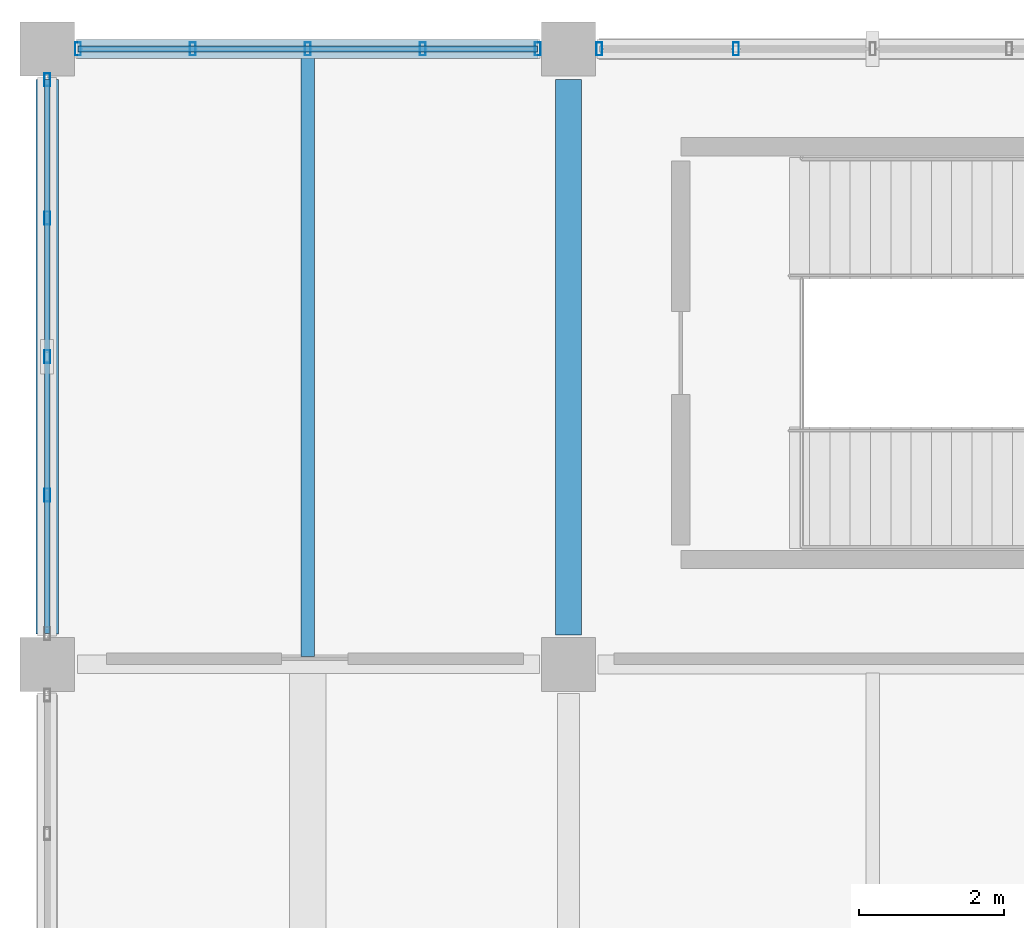
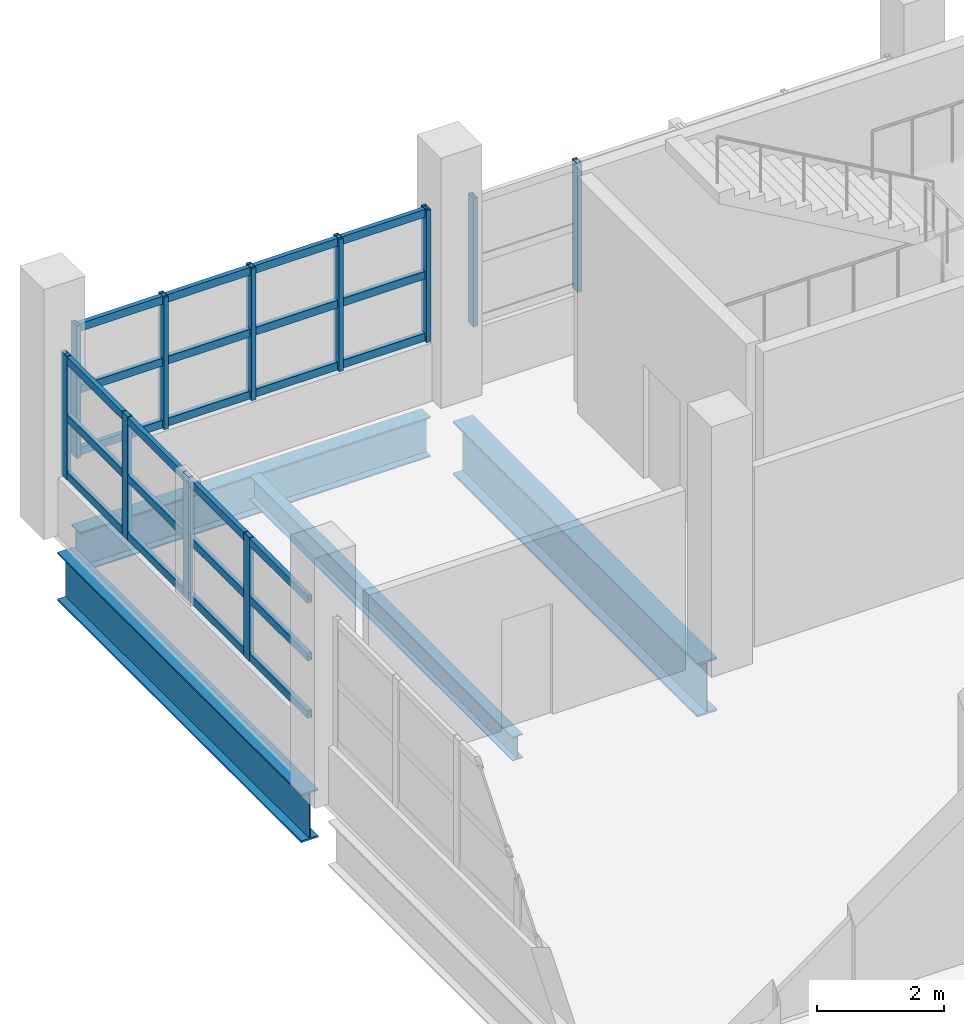
# One storey, part 74 of 117: 17 members, 4 beams, 3 elements without a shape of their own.
"""IFC4 building model written with IfcOpenShell, lengths in metres."""

from ifc_helpers import new_model, si_unit, direction, frame, origin, origin_2d, place, context, subcontext, project, spatial, hollow_rectangle, i_section, extrude, material, material_profile, profile_set, type_object, element, aggregate, save


model = new_model("IFC4")

# Units and contexts
model_context = context("Model", 3, precision=1e-05, world=origin(), true_north=direction((0.0, 1.0)))
body_context = subcontext(model_context, "Body", "Model", "MODEL_VIEW")
ifc_project = project(units=[si_unit("LENGTHUNIT", "METRE"), si_unit("AREAUNIT", "SQUARE_METRE"), si_unit("VOLUMEUNIT", "CUBIC_METRE"), si_unit("PLANEANGLEUNIT", "RADIAN"), si_unit("MASSUNIT", "GRAM", prefix="KILO")], contexts=[model_context])

# Site, building, storey
site_placement = place(None, origin())
site = spatial("IfcSite", under=ifc_project, at=site_placement, CompositionType="ELEMENT")
building_placement = place(site_placement, origin())
building = spatial("IfcBuilding", under=site, at=building_placement, Name="Solvento Point Concert Hall", CompositionType="ELEMENT")
storey_placement = place(building_placement, frame((0.0, 0.0, 5.39990234375)))
storey = spatial("IfcBuildingStorey", under=building, at=storey_placement, Name="L01", CompositionType="ELEMENT", Elevation=5.39990234375)

# Beams
ifc_material_1 = material(Name="Structural Steel ASTM A992 Grade 50", Category="steel")
ifc_material_profile_1 = material_profile(ifc_material_1, i_section(OverallWidth=0.26806640625, OverallDepth=0.77001953125, WebThickness=0.015625, FlangeThickness=0.025390625, at=origin_2d()), Name="W30X132")
ifc_profile_set_1 = profile_set([ifc_material_profile_1], Name="Structural Steel ASTM A992 Grade 50")
beam_type_1 = type_object("IfcBeamType", Name="Girder_W30X132", PredefinedType="USERDEFINED", material=ifc_profile_set_1)
beam_1_placement = place(storey_placement, frame((0.4189453125, 136.0, -0.6689453125), z_axis=(1.0, 0.0, 0.0), x_axis=(0.0, 1.0, 0.0)))
element("IfcBeam", 1, at=beam_1_placement, inside=storey, type_object=beam_type_1, Name="Primary girder B-68 L01", ObjectType="GIRDER", PredefinedType="USERDEFINED", context=body_context, shape_type="SweptSolid", body=[
    extrude(i_section(OverallWidth=0.26806640625, OverallDepth=0.77001953125, WebThickness=0.015625, FlangeThickness=0.025390625, at=origin_2d()), origin(), (0.0, 0.0, 1.0), 6.362060546875),
])
ifc_material_2 = material(Name="Structural Steel ASTM A992 Grade 50", Category="steel")
ifc_material_profile_2 = material_profile(ifc_material_2, i_section(OverallWidth=0.3076171875, OverallDepth=0.927001953125, WebThickness=0.019287109375, FlangeThickness=0.031982421875, at=origin_2d()), Name="W36X194")
ifc_profile_set_2 = profile_set([ifc_material_profile_2], Name="Structural Steel ASTM A992 Grade 50")
beam_type_2 = type_object("IfcBeamType", Name="Girder_W36X194", PredefinedType="USERDEFINED", material=ifc_profile_set_2)
beam_2_placement = place(storey_placement, frame((0.0, 127.9189453125, -0.747314453125), z_axis=(0.0, 1.0, 0.0), x_axis=(-1.0, 0.0, 0.0)))
element("IfcBeam", 2, at=beam_2_placement, inside=storey, type_object=beam_type_2, Name="Primary girder B-61 L01", ObjectType="GIRDER", PredefinedType="USERDEFINED", context=body_context, shape_type="SweptSolid", body=[
    extrude(i_section(OverallWidth=0.3076171875, OverallDepth=0.927001953125, WebThickness=0.019287109375, FlangeThickness=0.031982421875, at=origin_2d()), origin(), (0.0, 0.0, 1.0), 7.662109375),
])
ifc_material_3 = material(Name="Structural Steel ASTM A992 Grade 50", Category="steel")
ifc_material_profile_3 = material_profile(ifc_material_3, i_section(OverallWidth=0.361083984375, OverallDepth=1.02587890625, WebThickness=0.01904296875, FlangeThickness=0.0361328125, at=origin_2d()), Name="W40X249")
ifc_profile_set_3 = profile_set([ifc_material_profile_3], Name="Structural Steel ASTM A992 Grade 50")
beam_type_3 = type_object("IfcBeamType", Name="Girder_W40X249", PredefinedType="USERDEFINED", material=ifc_profile_set_3)
beam_3_placement = place(storey_placement, frame((7.199951171875, 127.904052734375, -0.796875), z_axis=(0.0, 1.0, 0.0), x_axis=(-1.0, 0.0, 0.0)))
element("IfcBeam", 3, at=beam_3_placement, inside=storey, type_object=beam_type_3, Name="Primary girder B-29 L01", ObjectType="GIRDER", PredefinedType="USERDEFINED", context=body_context, shape_type="SweptSolid", body=[
    extrude(i_section(OverallWidth=0.361083984375, OverallDepth=1.02587890625, WebThickness=0.01904296875, FlangeThickness=0.0361328125, at=origin_2d()), origin(), (0.0, 0.0, 1.0), 7.677001953125),
])
ifc_material_4 = material(Name="Structural Steel ASTM A992 Grade 50", Category="steel")
ifc_material_profile_4 = material_profile(ifc_material_4, i_section(OverallWidth=0.1904296875, OverallDepth=0.45703125, WebThickness=0.009033203125, FlangeThickness=0.014404296875, at=origin_2d()), Name="W18X50")
ifc_profile_set_4 = profile_set([ifc_material_profile_4], Name="Structural Steel ASTM A992 Grade 50")
beam_type_4 = type_object("IfcBeamType", Name="Joist_W18X50", PredefinedType="JOIST", material=ifc_profile_set_4)
beam_4_placement = place(storey_placement, frame((3.60009765625, 127.613037109375, -0.512451171875), z_axis=(0.0, 1.0, 0.0), x_axis=(-1.0, 0.0, 0.0)))
element("IfcBeam", 4, at=beam_4_placement, inside=storey, type_object=beam_type_4, Name="Secondary floor joist B-66 L01", PredefinedType="JOIST", context=body_context, shape_type="SweptSolid", body=[
    extrude(i_section(OverallWidth=0.1904296875, OverallDepth=0.45703125, WebThickness=0.009033203125, FlangeThickness=0.014404296875, at=origin_2d()), origin(), (0.0, 0.0, 1.0), 8.26806640625),
])

# Curtain wall, members
ifc_material_5 = material(Name="Anodized Bronze Aluminium", Category="aluminium")
curtain_wall_type = type_object("IfcCurtainWallType", Name="CurtainWall_CourtPilotis", PredefinedType="USERDEFINED", material=ifc_material_5)
curtain_wall_1_placement = place(storey_placement, origin())
curtain_wall_1 = element("IfcCurtainWall", 5, at=curtain_wall_1_placement, inside=storey, type_object=curtain_wall_type, Name="Unitised curtain wall CW-96 UCW-L01-122", ObjectType="UNITISED CURTAIN WALL", PredefinedType="USERDEFINED")
ifc_material_6 = material(Name="Anodized Bronze Aluminium", Category="aluminium")
ifc_material_profile_5 = material_profile(ifc_material_6, hollow_rectangle(XDim=0.080078125, YDim=0.179931640625, WallThickness=0.00390625, at=origin_2d()), Name="CW-MUL-80X180")
ifc_profile_set_5 = profile_set([ifc_material_profile_5], Name="Anodized Bronze Aluminium")
member_type_1 = type_object("IfcMemberType", Name="Mullion_80x180", PredefinedType="MULLION", material=ifc_profile_set_5)
member_1_placement = place(storey_placement, frame((0.0, 129.83740234375, 1.1201171875), z_axis=(0.0, 0.0, 1.0), x_axis=(1.0, 0.0, 0.0)))
member_1 = element("IfcMember", 6, at=member_1_placement, type_object=member_type_1, Name="Curtain wall mullion ML-01", PredefinedType="MULLION", context=body_context, shape_type="SweptSolid", body=[
    extrude(hollow_rectangle(XDim=0.080078125, YDim=0.179931640625, WallThickness=0.00390625, at=origin_2d()), origin(), (0.0, 0.0, 1.0), 2.367919921875),
])
member_2_placement = place(storey_placement, frame((0.0, 131.75, 1.1201171875), z_axis=(0.0, 0.0, 1.0), x_axis=(1.0, 0.0, 0.0)))
member_2 = element("IfcMember", 7, at=member_2_placement, type_object=member_type_1, Name="Curtain wall mullion ML-01", PredefinedType="MULLION", context=body_context, shape_type="SweptSolid", body=[
    extrude(hollow_rectangle(XDim=0.080078125, YDim=0.179931640625, WallThickness=0.00390625, at=origin_2d()), origin(), (0.0, 0.0, 1.0), 2.367919921875),
])
member_3_placement = place(storey_placement, frame((0.0, 133.66259765625, 1.1201171875), z_axis=(0.0, 0.0, 1.0), x_axis=(1.0, 0.0, 0.0)))
member_3 = element("IfcMember", 8, at=member_3_placement, type_object=member_type_1, Name="Curtain wall mullion ML-01", PredefinedType="MULLION", context=body_context, shape_type="SweptSolid", body=[
    extrude(hollow_rectangle(XDim=0.080078125, YDim=0.179931640625, WallThickness=0.00390625, at=origin_2d()), origin(), (0.0, 0.0, 1.0), 2.367919921875),
])
member_4_placement = place(storey_placement, frame((0.0, 135.574951171875, 1.1201171875), z_axis=(0.0, 0.0, 1.0), x_axis=(1.0, 0.0, 0.0)))
member_4 = element("IfcMember", 9, at=member_4_placement, type_object=member_type_1, Name="Curtain wall mullion ML-01", PredefinedType="MULLION", context=body_context, shape_type="SweptSolid", body=[
    extrude(hollow_rectangle(XDim=0.080078125, YDim=0.179931640625, WallThickness=0.00390625, at=origin_2d()), origin(), (0.0, 0.0, 1.0), 2.367919921875),
])

curtain_wall_2_placement = place(storey_placement, origin())
curtain_wall_2 = element("IfcCurtainWall", 10, at=curtain_wall_2_placement, inside=storey, type_object=curtain_wall_type, Name="Unitised curtain wall CW-96 UCW-L01-123", ObjectType="UNITISED CURTAIN WALL", PredefinedType="USERDEFINED")
member_5_placement = place(storey_placement, frame((0.425048828125, 136.0, 1.1201171875), z_axis=(0.0, 0.0, 1.0), x_axis=(1.0, 0.0, 0.0)))
member_5 = element("IfcMember", 11, at=member_5_placement, type_object=member_type_1, Name="Curtain wall mullion ML-01", PredefinedType="MULLION", context=body_context, shape_type="SweptSolid", body=[
    extrude(hollow_rectangle(XDim=0.080078125, YDim=0.179931640625, WallThickness=0.00390625, at=origin_2d()), origin(), (0.0, 0.0, 1.0), 2.534912109375),
])
member_6_placement = place(storey_placement, frame((2.012451171875, 136.0, 1.1201171875), z_axis=(0.0, 0.0, 1.0), x_axis=(1.0, 0.0, 0.0)))
member_6 = element("IfcMember", 12, at=member_6_placement, type_object=member_type_1, Name="Curtain wall mullion ML-01", PredefinedType="MULLION", context=body_context, shape_type="SweptSolid", body=[
    extrude(hollow_rectangle(XDim=0.080078125, YDim=0.179931640625, WallThickness=0.00390625, at=origin_2d()), origin(), (0.0, 0.0, 1.0), 2.534912109375),
])
member_7_placement = place(storey_placement, frame((3.60009765625, 136.0, 1.1201171875), z_axis=(0.0, 0.0, 1.0), x_axis=(1.0, 0.0, 0.0)))
member_7 = element("IfcMember", 13, at=member_7_placement, type_object=member_type_1, Name="Curtain wall mullion ML-01", PredefinedType="MULLION", context=body_context, shape_type="SweptSolid", body=[
    extrude(hollow_rectangle(XDim=0.080078125, YDim=0.179931640625, WallThickness=0.00390625, at=origin_2d()), origin(), (0.0, 0.0, 1.0), 2.534912109375),
])
member_8_placement = place(storey_placement, frame((5.1875, 136.0, 1.1201171875), z_axis=(0.0, 0.0, 1.0), x_axis=(1.0, 0.0, 0.0)))
member_8 = element("IfcMember", 14, at=member_8_placement, type_object=member_type_1, Name="Curtain wall mullion ML-01", PredefinedType="MULLION", context=body_context, shape_type="SweptSolid", body=[
    extrude(hollow_rectangle(XDim=0.080078125, YDim=0.179931640625, WallThickness=0.00390625, at=origin_2d()), origin(), (0.0, 0.0, 1.0), 2.534912109375),
])
member_9_placement = place(storey_placement, frame((6.77490234375, 136.0, 1.1201171875), z_axis=(0.0, 0.0, 1.0), x_axis=(1.0, 0.0, 0.0)))
member_9 = element("IfcMember", 15, at=member_9_placement, type_object=member_type_1, Name="Curtain wall mullion ML-01", PredefinedType="MULLION", context=body_context, shape_type="SweptSolid", body=[
    extrude(hollow_rectangle(XDim=0.080078125, YDim=0.179931640625, WallThickness=0.00390625, at=origin_2d()), origin(), (0.0, 0.0, 1.0), 2.534912109375),
])

curtain_wall_3_placement = place(storey_placement, origin())
curtain_wall_3 = element("IfcCurtainWall", 16, at=curtain_wall_3_placement, inside=storey, type_object=curtain_wall_type, Name="Unitised curtain wall CW-96 UCW-L01-124", ObjectType="UNITISED CURTAIN WALL", PredefinedType="USERDEFINED")
member_10_placement = place(storey_placement, frame((7.625, 136.0, 1.1201171875), z_axis=(0.0, 0.0, 1.0), x_axis=(1.0, 0.0, 0.0)))
member_10 = element("IfcMember", 17, at=member_10_placement, type_object=member_type_1, Name="Curtain wall mullion ML-01", PredefinedType="MULLION", context=body_context, shape_type="SweptSolid", body=[
    extrude(hollow_rectangle(XDim=0.080078125, YDim=0.179931640625, WallThickness=0.00390625, at=origin_2d()), origin(), (0.0, 0.0, 1.0), 2.467041015625),
])
member_11_placement = place(storey_placement, frame((9.512451171875, 136.0, 1.1201171875), z_axis=(0.0, 0.0, 1.0), x_axis=(1.0, 0.0, 0.0)))
member_11 = element("IfcMember", 18, at=member_11_placement, type_object=member_type_1, Name="Curtain wall mullion ML-01", PredefinedType="MULLION", context=body_context, shape_type="SweptSolid", body=[
    extrude(hollow_rectangle(XDim=0.080078125, YDim=0.179931640625, WallThickness=0.00390625, at=origin_2d()), origin(), (0.0, 0.0, 1.0), 2.467041015625),
])
aggregate(curtain_wall_3, [member_10, member_11])

# Member
ifc_material_7 = material(Name="Anodized Bronze Aluminium", Category="aluminium")
ifc_material_profile_6 = material_profile(ifc_material_7, hollow_rectangle(XDim=0.080078125, YDim=0.14990234375, WallThickness=0.00390625, at=origin_2d()), Name="CW-TRN-80X150")
ifc_profile_set_6 = profile_set([ifc_material_profile_6], Name="Anodized Bronze Aluminium")
member_type_2 = type_object("IfcMemberType", Name="Transom_80x150", PredefinedType="USERDEFINED", material=ifc_profile_set_6)
member_12_placement = place(storey_placement, frame((0.0, 127.925048828125, 1.2001953125), z_axis=(0.0, 1.0, 0.0), x_axis=(-1.0, 0.0, 0.0)))
member_12 = element("IfcMember", 19, at=member_12_placement, type_object=member_type_2, Name="Curtain wall transom TR-01", ObjectType="TRANSOM", PredefinedType="USERDEFINED", context=body_context, shape_type="SweptSolid", body=[
    extrude(hollow_rectangle(XDim=0.080078125, YDim=0.14990234375, WallThickness=0.00390625, at=origin_2d()), origin(), (0.0, 0.0, 1.0), 7.64990234375),
])

member_13_placement = place(storey_placement, frame((0.0, 127.925048828125, 2.30419921875), z_axis=(0.0, 1.0, 0.0), x_axis=(-1.0, 0.0, 0.0)))
member_13 = element("IfcMember", 20, at=member_13_placement, type_object=member_type_2, Name="Curtain wall transom TR-01", ObjectType="TRANSOM", PredefinedType="USERDEFINED", context=body_context, shape_type="SweptSolid", body=[
    extrude(hollow_rectangle(XDim=0.080078125, YDim=0.14990234375, WallThickness=0.00390625, at=origin_2d()), origin(), (0.0, 0.0, 1.0), 7.64990234375),
])

member_14_placement = place(storey_placement, frame((0.0, 127.925048828125, 3.408203125), z_axis=(0.0, 1.0, 0.0), x_axis=(-1.0, 0.0, 0.0)))
member_14 = element("IfcMember", 21, at=member_14_placement, type_object=member_type_2, Name="Curtain wall transom TR-01", ObjectType="TRANSOM", PredefinedType="USERDEFINED", context=body_context, shape_type="SweptSolid", body=[
    extrude(hollow_rectangle(XDim=0.080078125, YDim=0.14990234375, WallThickness=0.00390625, at=origin_2d()), origin(), (0.0, 0.0, 1.0), 7.64990234375),
])

aggregate(curtain_wall_1, [member_1, member_2, member_3, member_4, member_12, member_13, member_14])

member_15_placement = place(storey_placement, frame((0.425048828125, 136.0, 1.2001953125), z_axis=(1.0, 0.0, 0.0), x_axis=(0.0, 1.0, 0.0)))
member_15 = element("IfcMember", 22, at=member_15_placement, type_object=member_type_2, Name="Curtain wall transom TR-01", ObjectType="TRANSOM", PredefinedType="USERDEFINED", context=body_context, shape_type="SweptSolid", body=[
    extrude(hollow_rectangle(XDim=0.080078125, YDim=0.14990234375, WallThickness=0.00390625, at=origin_2d()), origin(), (0.0, 0.0, 1.0), 6.349853515625),
])

member_16_placement = place(storey_placement, frame((0.425048828125, 136.0, 2.3876953125), z_axis=(1.0, 0.0, 0.0), x_axis=(0.0, 1.0, 0.0)))
member_16 = element("IfcMember", 23, at=member_16_placement, type_object=member_type_2, Name="Curtain wall transom TR-01", ObjectType="TRANSOM", PredefinedType="USERDEFINED", context=body_context, shape_type="SweptSolid", body=[
    extrude(hollow_rectangle(XDim=0.080078125, YDim=0.14990234375, WallThickness=0.00390625, at=origin_2d()), origin(), (0.0, 0.0, 1.0), 6.349853515625),
])

member_17_placement = place(storey_placement, frame((0.425048828125, 136.0, 3.5751953125), z_axis=(1.0, 0.0, 0.0), x_axis=(0.0, 1.0, 0.0)))
member_17 = element("IfcMember", 24, at=member_17_placement, type_object=member_type_2, Name="Curtain wall transom TR-01", ObjectType="TRANSOM", PredefinedType="USERDEFINED", context=body_context, shape_type="SweptSolid", body=[
    extrude(hollow_rectangle(XDim=0.080078125, YDim=0.14990234375, WallThickness=0.00390625, at=origin_2d()), origin(), (0.0, 0.0, 1.0), 6.349853515625),
])

aggregate(curtain_wall_2, [member_5, member_6, member_7, member_8, member_9, member_15, member_16, member_17])

save(model, "model.ifc")
